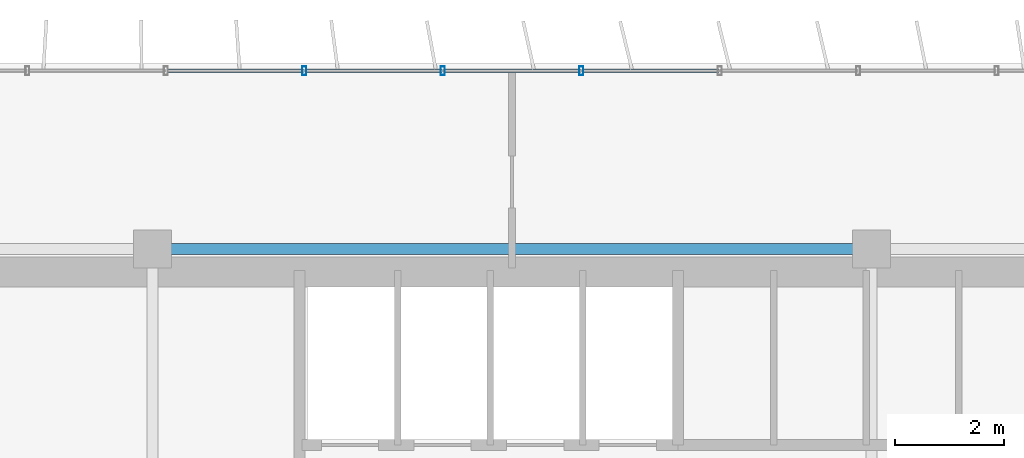
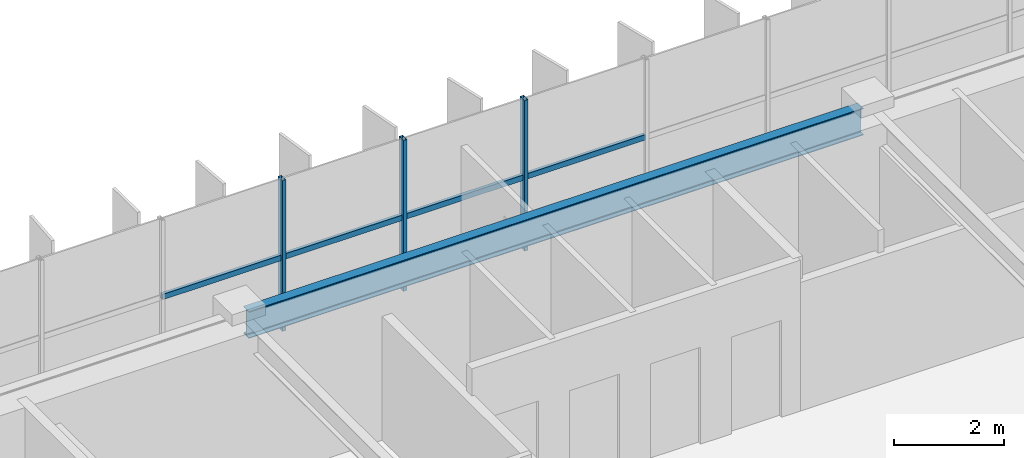
# One storey, part 7 of 20: 7 members, 1 beam, 1 element without a shape of its own.
"""IFC4 building model written with IfcOpenShell, lengths in metres."""

import ifcopenshell
import ifcopenshell.guid

model = None  # the IFC model being written
_history = None  # IfcOwnerHistory: only IFC2X3 demands one
_inside = {}  # id of a spatial element -> (the spatial element, [elements in it])
_under = {}  # id of a project, library or spatial element -> (it, [spatial elements below it])
_declared = {}  # id of a project -> (the project, [libraries it declares])
_typed = {}  # id of a type object -> (the type object, [elements of that type])
_made_of = {}  # id of a material, layer set ... -> (it, [elements and type objects made of it])


def new_model(schema):
    """Start an empty IFC model of exactly this schema.

    Asked for "IFC4X3", IfcOpenShell would pick the latest addendum, in which some entities
    have other attributes; the version numbers below select the first issue.
    IFC2X3 requires an IfcOwnerHistory on every rooted entity: one is made here for all.
    """
    global model, _history
    if schema == "IFC4X3":
        model = ifcopenshell.file(schema_version=(4, 3, 0, 0))
    else:
        model = ifcopenshell.file(schema=schema)
    _inside.clear()
    _under.clear()
    _declared.clear()
    _typed.clear()
    _made_of.clear()
    _history = None
    if model.schema == "IFC2X3":
        org = make("IfcOrganization", Name="unknown")
        user = make(
            "IfcPersonAndOrganization",
            ThePerson=make("IfcPerson", FamilyName="unknown"),
            TheOrganization=org,
        )
        app = make(
            "IfcApplication",
            ApplicationDeveloper=org,
            Version="unknown",
            ApplicationFullName="unknown",
            ApplicationIdentifier="unknown",
        )
        _history = make(
            "IfcOwnerHistory",
            OwningUser=user,
            OwningApplication=app,
            ChangeAction="ADDED",
            CreationDate=0,
        )
    return model


def make(cls, **values):
    """One entity of the class cls with the attributes given. An attribute that is None is left unset."""
    return model.create_entity(
        cls, **{name: value for name, value in values.items() if value is not None}
    )


def rooted(cls, **values):
    """An entity with a GlobalId (a new one), such as an element, a storey or a relation."""
    return make(cls, GlobalId=ifcopenshell.guid.new(), OwnerHistory=_history, **values)


def si_unit(unit_type, name, prefix=None):
    """IfcSIUnit, for example si_unit("LENGTHUNIT", "METRE", prefix="MILLI")."""
    return make("IfcSIUnit", UnitType=unit_type, Prefix=prefix, Name=name)


def assignment(units):
    """IfcUnitAssignment: the units of a project."""
    return None if units is None else make("IfcUnitAssignment", Units=units)


def point(xyz):
    """IfcCartesianPoint."""
    return None if xyz is None else make("IfcCartesianPoint", Coordinates=xyz)


def direction(xyz):
    """IfcDirection."""
    return None if xyz is None else make("IfcDirection", DirectionRatios=xyz)


def frame(location, z_axis=None, x_axis=None):
    """IfcAxis2Placement3D, a coordinate frame: its origin and axes. An axis left out is left unset."""
    return make(
        "IfcAxis2Placement3D",
        Location=point(location),
        Axis=direction(z_axis),
        RefDirection=direction(x_axis),
    )


def frame_2d(location, x_axis=None):
    """IfcAxis2Placement2D, a coordinate frame in the plane: its origin and x axis."""
    return make(
        "IfcAxis2Placement2D", Location=point(location), RefDirection=direction(x_axis)
    )


def origin():
    """The frame at (0, 0, 0) with its axes left unset."""
    return frame((0.0, 0.0, 0.0))


def origin_2d():
    """The frame at (0, 0) in the plane with its x axis left unset."""
    return frame_2d((0.0, 0.0))


def place(relative_to, where):
    """IfcLocalPlacement: puts the frame where relative to a parent placement (None: the world)."""
    return make(
        "IfcLocalPlacement", PlacementRelTo=relative_to, RelativePlacement=where
    )


def context(
    kind, dimensions, precision=None, world=None, true_north=None, identifier=None
):
    """IfcGeometricRepresentationContext, for example the 3D "Model" context."""
    return make(
        "IfcGeometricRepresentationContext",
        ContextIdentifier=identifier,
        ContextType=kind,
        CoordinateSpaceDimension=dimensions,
        Precision=precision,
        WorldCoordinateSystem=world,
        TrueNorth=true_north,
    )


def subcontext(parent, identifier, kind, view, scale=None):
    """IfcGeometricRepresentationSubContext, for example "Body" below "Model"."""
    return make(
        "IfcGeometricRepresentationSubContext",
        ContextIdentifier=identifier,
        ContextType=kind,
        ParentContext=parent,
        TargetScale=scale,
        TargetView=view,
    )


def project(units=None, contexts=None):
    """IfcProject with its units and contexts."""
    return rooted(
        "IfcProject",
        Name="project",
        RepresentationContexts=contexts,
        UnitsInContext=assignment(units),
    )


def spatial(cls, under=None, at=None, **own):
    """A site, building, storey or space (cls), placed at a placement, below another one or the project."""
    s = rooted(cls, ObjectPlacement=at, **own)
    if under is not None:
        _under.setdefault(under.id(), (under, []))[1].append(s)
    return s


def profile(cls, at=None, kind="AREA", **sizes):
    """A parametric profile (cls). Its sizes go by their IFC names, for example OverallWidth=200.0."""
    return make(cls, ProfileType=kind, Position=at, **sizes)


def hollow_rectangle(**sizes):
    """IfcRectangleHollowProfileDef."""
    return profile("IfcRectangleHollowProfileDef", **sizes)


def i_section(**sizes):
    """IfcIShapeProfileDef."""
    return profile("IfcIShapeProfileDef", **sizes)


def extrude(swept, where, along, depth):
    """IfcExtrudedAreaSolid: the profile swept, set in the frame where, extruded along a direction by depth."""
    return make(
        "IfcExtrudedAreaSolid",
        SweptArea=swept,
        Position=where,
        ExtrudedDirection=direction(along),
        Depth=depth,
    )


def shape(context_of_items, identifier, shape_type, items):
    """IfcShapeRepresentation: the items that make up one representation, for example the "Body"."""
    return make(
        "IfcShapeRepresentation",
        ContextOfItems=context_of_items,
        RepresentationIdentifier=identifier,
        RepresentationType=shape_type,
        Items=items,
    )


def source(mapping_origin, context_of_items, identifier, shape_type, items):
    """IfcRepresentationMap: a shape defined once, which mapped items show again and again."""
    return make(
        "IfcRepresentationMap",
        MappingOrigin=mapping_origin,
        MappedRepresentation=shape(context_of_items, identifier, shape_type, items),
    )


def transform(
    local_origin,
    x_axis=None,
    y_axis=None,
    z_axis=None,
    scale=None,
    scale2=None,
    scale3=None,
    uniform=True,
):
    """IfcCartesianTransformationOperator3D, or its non-uniform kind. x_axis, y_axis, z_axis: its Axis1, 2, 3."""
    if uniform:
        return make(
            "IfcCartesianTransformationOperator3D",
            Axis1=direction(x_axis),
            Axis2=direction(y_axis),
            LocalOrigin=point(local_origin),
            Scale=scale,
            Axis3=direction(z_axis),
        )
    return make(
        "IfcCartesianTransformationOperator3DnonUniform",
        Axis1=direction(x_axis),
        Axis2=direction(y_axis),
        LocalOrigin=point(local_origin),
        Scale=scale,
        Axis3=direction(z_axis),
        Scale2=scale2,
        Scale3=scale3,
    )


def mapped(mapping_source, mapping_target):
    """IfcMappedItem: shows the shape of a source again, moved by a transform."""
    return make(
        "IfcMappedItem", MappingSource=mapping_source, MappingTarget=mapping_target
    )


def material(Name=None, Category=None):
    """IfcMaterial."""
    return make("IfcMaterial", Name=Name, Category=Category)


def material_profile(
    of_material, cross_section, Name=None, Category=None, Priority=None
):
    """IfcMaterialProfile: a cross section and its material."""
    return make(
        "IfcMaterialProfile",
        Name=Name,
        Material=of_material,
        Profile=cross_section,
        Priority=Priority,
        Category=Category,
    )


def profile_set(profiles, Name=None, composite=None):
    """IfcMaterialProfileSet."""
    return make(
        "IfcMaterialProfileSet",
        Name=Name,
        MaterialProfiles=profiles,
        CompositeProfile=composite,
    )


def made_of(thing, what):
    """Note that an element or type object is made of a material, layer set ...; save() writes the relation."""
    if what is not None:
        _made_of.setdefault(what.id(), (what, []))[1].append(thing)
    return thing


def type_object(cls, material=None, **own):
    """A type object (cls), such as IfcWallType, which elements share."""
    return made_of(rooted(cls, **own), material)


def element(
    cls,
    number,
    at=None,
    inside=None,
    cuts=None,
    type_object=None,
    material=None,
    context=None,
    identifier="Body",
    shape_type=None,
    held_by="IfcProductDefinitionShape",
    body=None,
    shapes=None,
    **own,
):
    """One element of the class cls, such as IfcWall. Its Tag is "e" and its number.

    at: its placement. inside: the storey or other place that contains it. cuts: it is an
    opening in that element (IfcRelVoidsElement). A single representation is given by context,
    identifier, shape_type and body (its items); several are given by shapes. held_by: the class
    of the entity that holds the representations. save() writes the other relations.
    """
    e = rooted(cls, Tag="e%d" % number, ObjectPlacement=at, **own)
    if body is not None:
        shapes = [shape(context, identifier, shape_type, body)]
    if shapes is not None:
        e.Representation = make(held_by, Representations=shapes)
    if inside is not None:
        _inside.setdefault(inside.id(), (inside, []))[1].append(e)
    if cuts is not None:
        rooted(
            "IfcRelVoidsElement", RelatingBuildingElement=cuts, RelatedOpeningElement=e
        )
    if type_object is not None:
        _typed.setdefault(type_object.id(), (type_object, []))[1].append(e)
    return made_of(e, material)


def aggregate(whole, parts):
    """IfcRelAggregates: a whole, such as a stair, and the parts it consists of."""
    return rooted("IfcRelAggregates", RelatingObject=whole, RelatedObjects=parts)


def save(model, path):
    """Write the relations noted so far, then the file.

    IfcRelAggregates (storeys below a building ...), IfcRelContainedInSpatialStructure (elements
    in a storey), IfcRelDefinesByType, IfcRelAssociatesMaterial and IfcRelDeclares: one each for
    every whole, place, type object, material and project.
    """
    for whole, parts in _under.values():
        aggregate(whole, parts)
    for where, things in _inside.values():
        rooted(
            "IfcRelContainedInSpatialStructure",
            RelatedElements=things,
            RelatingStructure=where,
        )
    for kind, things in _typed.values():
        rooted("IfcRelDefinesByType", RelatedObjects=things, RelatingType=kind)
    for what, things in _made_of.values():
        rooted("IfcRelAssociatesMaterial", RelatedObjects=things, RelatingMaterial=what)
    for by, libraries in _declared.values():
        rooted("IfcRelDeclares", RelatingContext=by, RelatedDefinitions=libraries)
    model.write(path)


model = new_model("IFC4")

# Units and contexts
model_context = context("Model", 3, precision=1e-05, world=origin(), true_north=direction((0.0, 1.0)))
body_context = subcontext(model_context, "Body", "Model", "MODEL_VIEW")
ifc_project = project(units=[si_unit("LENGTHUNIT", "METRE"), si_unit("AREAUNIT", "SQUARE_METRE"), si_unit("VOLUMEUNIT", "CUBIC_METRE"), si_unit("PLANEANGLEUNIT", "RADIAN"), si_unit("MASSUNIT", "GRAM", prefix="KILO")], contexts=[model_context])

# Site, building, storey
site_placement = place(None, origin())
site = spatial("IfcSite", under=ifc_project, at=site_placement, CompositionType="ELEMENT")
building_placement = place(site_placement, origin())
building = spatial("IfcBuilding", under=site, at=building_placement, Name="Trelvane Seafront Commons", CompositionType="ELEMENT")
storey_placement = place(building_placement, frame((0.0, 0.0, 146.5)))
storey = spatial("IfcBuildingStorey", under=building, at=storey_placement, Name="L38", CompositionType="ELEMENT", Elevation=146.5)

# Beam
ifc_material_1 = material(Name="Steel SM355 (S355)", Category="steel")
ifc_material_profile_1 = material_profile(ifc_material_1, i_section(OverallWidth=0.199951171875, OverallDepth=0.60009765625, WebThickness=0.010986328125, FlangeThickness=0.01708984375, at=origin_2d()), Name="H-600x200x11x17")
ifc_profile_set_1 = profile_set([ifc_material_profile_1], Name="Steel SM355 (S355)")
beam_type = type_object("IfcBeamType", Name="STR-SPD-H600", PredefinedType="SPANDREL", material=ifc_profile_set_1)
shared_shape_1 = source(origin(), body_context, "Body", "SweptSolid", [
    extrude(i_section(OverallWidth=0.199951171875, OverallDepth=0.60009765625, WebThickness=0.010986328125, FlangeThickness=0.01708984375, at=origin_2d()), origin(), (0.0, 0.0, 1.0), 12.89990234375),
])
beam_placement = place(storey_placement, frame((30.75, 45.10009765625, 3.050048828125), z_axis=(1.0, 0.0, 0.0), x_axis=(0.0, 1.0, 0.0)))
element("IfcBeam", 1, at=beam_placement, inside=storey, type_object=beam_type, Name="L38 Primary Girder G-25", PredefinedType="SPANDREL", context=body_context, shape_type="MappedRepresentation", body=[
    mapped(shared_shape_1, transform((0.0, 0.0, 0.0), x_axis=(1.0, 0.0, 0.0), y_axis=(0.0, 1.0, 0.0), z_axis=(0.0, 0.0, 1.0), scale=1.0)),
])

# Curtain wall, members
ifc_material_2 = material(Name="Anodised pale-silver aluminium", Category="aluminium")
curtain_wall_type = type_object("IfcCurtainWallType", Name="ARCH-CW5-UPTOWER", PredefinedType="NOTDEFINED", material=ifc_material_2)
curtain_wall_placement = place(storey_placement, origin())
curtain_wall = element("IfcCurtainWall", 2, at=curtain_wall_placement, inside=storey, type_object=curtain_wall_type, Name="CW-L38-0065", PredefinedType="NOTDEFINED")
ifc_material_profile_2 = material_profile(ifc_material_2, hollow_rectangle(XDim=0.070068359375, YDim=0.1201171875, WallThickness=0.00390625, at=origin_2d()), Name="TRAN-70x120x4")
ifc_profile_set_2 = profile_set([ifc_material_profile_2], Name="Anodised pale-silver aluminium")
member_type_1 = type_object("IfcMemberType", Name="ARCH-CW-TRAN-120", PredefinedType="USERDEFINED", material=ifc_profile_set_2)
shared_shape_2 = source(origin(), body_context, "Body", "SweptSolid", [
    extrude(hollow_rectangle(XDim=0.070068359375, YDim=0.1201171875, WallThickness=0.00390625, at=origin_2d()), origin(), (0.0, 0.0, 1.0), 2.51708984375),
])
member_1_placement = place(storey_placement, frame((30.859130859375, 48.3701171875, 1.60791015625), z_axis=(1.0, 0.0, 0.0), x_axis=(0.0, 1.0, 0.0)))
member_1 = element("IfcMember", 3, at=member_1_placement, type_object=member_type_1, Name="CW-L38-0065-T06", ObjectType="TRANSOM", PredefinedType="USERDEFINED", context=body_context, shape_type="MappedRepresentation", body=[
    mapped(shared_shape_2, transform((0.0, 0.0, 0.0), x_axis=(1.0, 0.0, 0.0), y_axis=(0.0, 1.0, 0.0), z_axis=(0.0, 0.0, 1.0), scale=1.0)),
])
member_2_placement = place(storey_placement, frame((35.94140625, 48.3701171875, 1.60791015625), z_axis=(1.0, 0.0, 0.0), x_axis=(0.0, 1.0, 0.0)))
member_2 = element("IfcMember", 4, at=member_2_placement, type_object=member_type_1, Name="CW-L38-0065-T08", ObjectType="TRANSOM", PredefinedType="USERDEFINED", context=body_context, shape_type="MappedRepresentation", body=[
    mapped(shared_shape_2, transform((0.0, 0.0, 0.0), x_axis=(1.0, 0.0, 0.0), y_axis=(0.0, 1.0, 0.0), z_axis=(0.0, 0.0, 1.0), scale=1.0)),
])
member_3_placement = place(storey_placement, frame((38.482666015625, 48.3701171875, 1.60791015625), z_axis=(1.0, 0.0, 0.0), x_axis=(0.0, 1.0, 0.0)))
member_3 = element("IfcMember", 5, at=member_3_placement, type_object=member_type_1, Name="CW-L38-0065-T09", ObjectType="TRANSOM", PredefinedType="USERDEFINED", context=body_context, shape_type="MappedRepresentation", body=[
    mapped(shared_shape_2, transform((0.0, 0.0, 0.0), x_axis=(1.0, 0.0, 0.0), y_axis=(0.0, 1.0, 0.0), z_axis=(0.0, 0.0, 1.0), scale=1.0)),
])
shared_shape_3 = source(origin(), body_context, "Body", "SweptSolid", [
    extrude(hollow_rectangle(XDim=0.070068359375, YDim=0.1201171875, WallThickness=0.00390625, at=origin_2d()), origin(), (0.0, 0.0, 1.0), 2.517333984375),
])
member_4_placement = place(storey_placement, frame((33.400146484375, 48.3701171875, 1.60791015625), z_axis=(1.0, 0.0, 0.0), x_axis=(0.0, 1.0, 0.0)))
member_4 = element("IfcMember", 6, at=member_4_placement, type_object=member_type_1, Name="CW-L38-0065-T07", ObjectType="TRANSOM", PredefinedType="USERDEFINED", context=body_context, shape_type="MappedRepresentation", body=[
    mapped(shared_shape_3, transform((0.0, 0.0, 0.0), x_axis=(1.0, 0.0, 0.0), y_axis=(0.0, 1.0, 0.0), z_axis=(0.0, 0.0, 1.0), scale=1.0)),
])
ifc_material_profile_3 = material_profile(ifc_material_2, hollow_rectangle(XDim=0.074951171875, YDim=0.159912109375, WallThickness=0.00390625, at=origin_2d()), Name="MULL-75x160x4")
ifc_profile_set_3 = profile_set([ifc_material_profile_3], Name="Anodised pale-silver aluminium")
member_type_2 = type_object("IfcMemberType", Name="ARCH-CW-MULL-160", PredefinedType="MULLION", material=ifc_profile_set_3)
shared_shape_4 = source(origin(), body_context, "Body", "SweptSolid", [
    extrude(hollow_rectangle(XDim=0.074951171875, YDim=0.159912109375, WallThickness=0.00390625, at=origin_2d()), origin(), (0.0, 0.0, 1.0), 3.35009765625),
])
member_5_placement = place(storey_placement, frame((33.38818359375, 48.3701171875, 0.0), z_axis=(0.0, 0.0, 1.0), x_axis=(1.0, 0.0, 0.0)))
member_5 = element("IfcMember", 7, at=member_5_placement, type_object=member_type_2, Name="CW-L38-0065-M07", PredefinedType="MULLION", context=body_context, shape_type="MappedRepresentation", body=[
    mapped(shared_shape_4, transform((0.0, 0.0, 0.0), x_axis=(1.0, 0.0, 0.0), y_axis=(0.0, 1.0, 0.0), z_axis=(0.0, 0.0, 1.0), scale=1.0)),
])
member_6_placement = place(storey_placement, frame((35.929443359375, 48.3701171875, 0.0), z_axis=(0.0, 0.0, 1.0), x_axis=(1.0, 0.0, 0.0)))
member_6 = element("IfcMember", 8, at=member_6_placement, type_object=member_type_2, Name="CW-L38-0065-M08", PredefinedType="MULLION", context=body_context, shape_type="MappedRepresentation", body=[
    mapped(shared_shape_4, transform((0.0, 0.0, 0.0), x_axis=(1.0, 0.0, 0.0), y_axis=(0.0, 1.0, 0.0), z_axis=(0.0, 0.0, 1.0), scale=1.0)),
])
member_7_placement = place(storey_placement, frame((38.470703125, 48.3701171875, 0.0), z_axis=(0.0, 0.0, 1.0), x_axis=(1.0, 0.0, 0.0)))
member_7 = element("IfcMember", 9, at=member_7_placement, type_object=member_type_2, Name="CW-L38-0065-M09", PredefinedType="MULLION", context=body_context, shape_type="MappedRepresentation", body=[
    mapped(shared_shape_4, transform((0.0, 0.0, 0.0), x_axis=(1.0, 0.0, 0.0), y_axis=(0.0, 1.0, 0.0), z_axis=(0.0, 0.0, 1.0), scale=1.0)),
])
aggregate(curtain_wall, [member_5, member_6, member_7, member_1, member_4, member_2, member_3])

save(model, "model.ifc")
